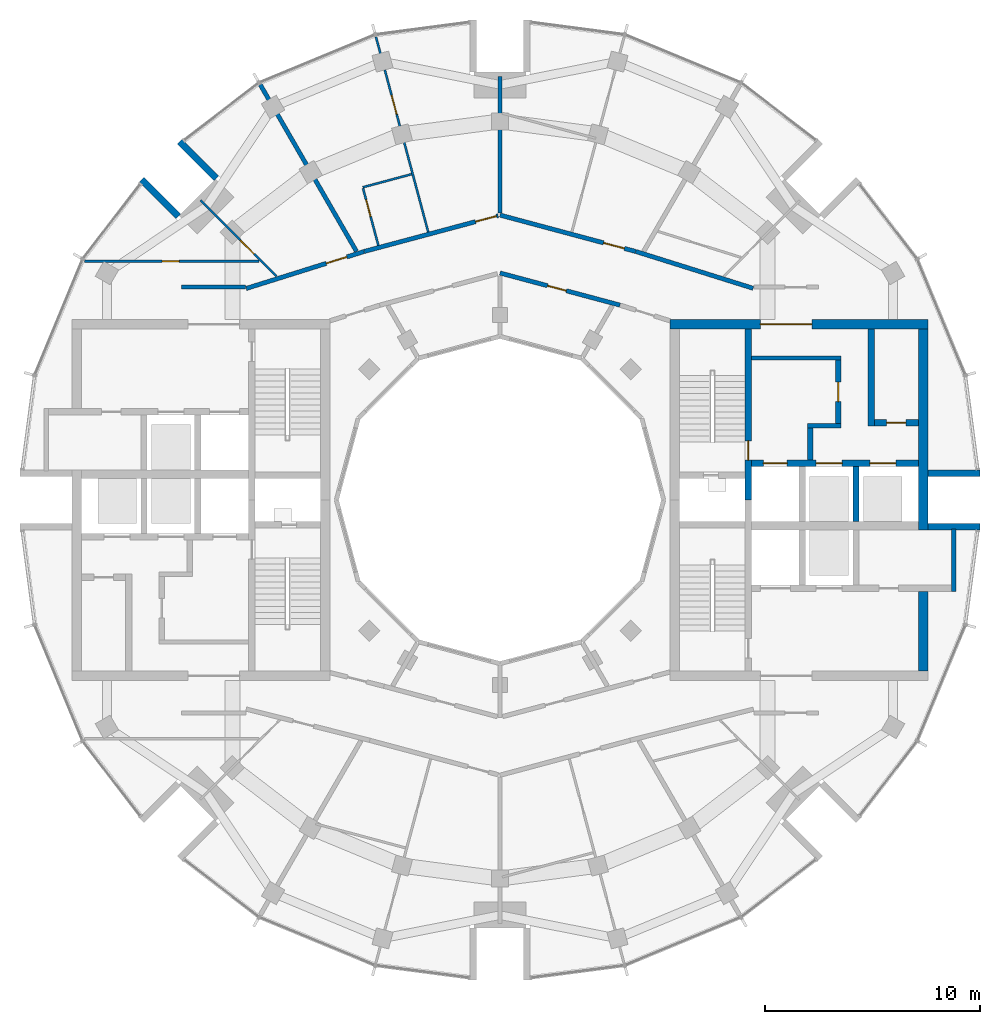
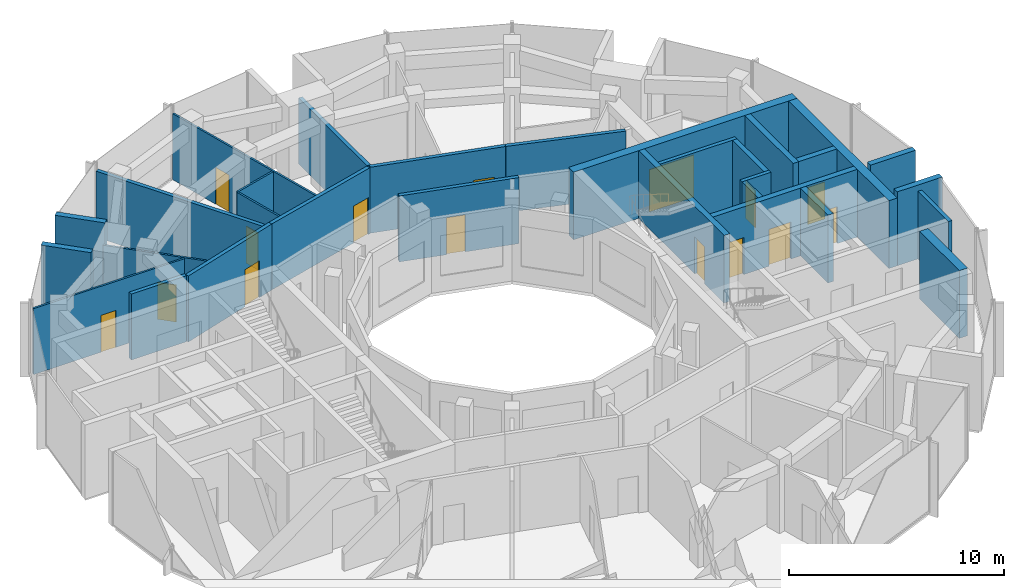
# One storey, part 11 of 14: 30 walls, 15 doors, 15 openings.
"""IFC4 building model written with IfcOpenShell, lengths in metres."""

from ifc_helpers import new_model, si_unit, direction, frame, frame_2d, origin, place, context, subcontext, project, spatial, rectangle, extrude, material, layer, layer_set, type_object, element, fill, save


model = new_model("IFC4")

# Units and contexts
model_context = context("Model", 3, precision=1e-05, world=origin(), true_north=direction((0.0, 1.0)))
body_context = subcontext(model_context, "Body", "Model", "MODEL_VIEW")
ifc_project = project(units=[si_unit("LENGTHUNIT", "METRE"), si_unit("AREAUNIT", "SQUARE_METRE"), si_unit("VOLUMEUNIT", "CUBIC_METRE"), si_unit("PLANEANGLEUNIT", "RADIAN"), si_unit("MASSUNIT", "GRAM", prefix="KILO")], contexts=[model_context])

# Site, building, storey
site_placement = place(None, origin())
site = spatial("IfcSite", under=ifc_project, at=site_placement, CompositionType="ELEMENT")
building_placement = place(site_placement, origin())
building = spatial("IfcBuilding", under=site, at=building_placement, Name="Torre Brocal", CompositionType="ELEMENT")
storey_placement = place(building_placement, frame((0.0, 0.0, 305.10009765625)))
storey = spatial("IfcBuildingStorey", under=building, at=storey_placement, Name="L70", CompositionType="ELEMENT", Elevation=305.10009765625)

# Walls
ifc_material_1 = material(Name="Masonry block", Category="masonry")
ifc_layer_1 = layer(ifc_material_1, 0.199951171875)
ifc_layer_set_1 = layer_set([ifc_layer_1], Name="Masonry block")
wall_type_1 = type_object("IfcWallType", Name="CORE PARTITION 200 UNDER 350 SLAB", PredefinedType="PARTITIONING", material=ifc_layer_set_1)
wall_1_placement = place(storey_placement, frame((101.10009765625, 70.75, 0.0), z_axis=(0.0, 0.0, 1.0), x_axis=(0.0, 1.0, 0.0)))
element("IfcWall", 1, at=wall_1_placement, inside=storey, type_object=wall_type_1, Name="Wall CP200-S350", PredefinedType="PARTITIONING", context=body_context, shape_type="SweptSolid", body=[
    extrude(rectangle(XDim=2.89990234375, YDim=0.199951171875, at=frame_2d((1.449951171875, 0.0))), origin(), (0.0, 0.0, 1.0), 3.849853515625),
])
ifc_material_2 = material(Name="Concrete C50", Category="concrete")
ifc_layer_2 = layer(ifc_material_2, 0.199951171875)
ifc_layer_set_2 = layer_set([ifc_layer_2], Name="Concrete C50")
wall_type_2 = type_object("IfcWallType", Name="CORE WALL 200 C50 UNDER 350 SLAB", PredefinedType="SHEAR", material=ifc_layer_set_2)
wall_2_placement = place(storey_placement, frame((91.699951171875, 81.60009765625, 0.0), z_axis=(0.0, 0.0, 1.0), x_axis=(1.0, 0.0, 0.0)))
element("IfcWall", 2, at=wall_2_placement, inside=storey, type_object=wall_type_2, Name="Wall CW200-50-S350", PredefinedType="SHEAR", context=body_context, shape_type="SweptSolid", body=[
    extrude(rectangle(XDim=4.150146484375, YDim=0.199951171875, at=frame_2d((2.0751953125, 0.0))), origin(), (0.0, 0.0, 1.0), 3.849853515625),
])
wall_3_placement = place(storey_placement, frame((94.300048828125, 78.449951171875, 0.0), z_axis=(0.0, 0.0, 1.0), x_axis=(1.0, 0.0, 0.0)))
element("IfcWall", 3, at=wall_3_placement, inside=storey, type_object=wall_type_2, Name="Wall CW200-50-S350", PredefinedType="SHEAR", context=body_context, shape_type="SweptSolid", body=[
    extrude(rectangle(XDim=1.550048828125, YDim=0.199951171875, at=frame_2d((0.77490234375, 0.0))), origin(), (0.0, 0.0, 1.0), 3.849853515625),
])

# Wall, opening, door
ifc_material_3 = material(Name="Concrete C50", Category="concrete")
ifc_layer_3 = layer(ifc_material_3, 0.25)
ifc_layer_set_3 = layer_set([ifc_layer_3], Name="Concrete C50")
wall_type_3 = type_object("IfcWallType", Name="CORE WALL 250 C50 UNDER 350 SLAB", PredefinedType="SHEAR", material=ifc_layer_set_3)
wall_4_placement = place(storey_placement, frame((95.72509765625, 78.550048828125, 0.0), z_axis=(0.0, 0.0, 1.0), x_axis=(0.0, 1.0, 0.0)))
wall_4 = element("IfcWall", 4, at=wall_4_placement, inside=storey, type_object=wall_type_3, Name="Wall CW250-50-S350", PredefinedType="SHEAR", context=body_context, shape_type="SweptSolid", body=[
    extrude(rectangle(XDim=2.949951171875, YDim=0.25, at=frame_2d((1.47509765625, 0.0))), origin(), (0.0, 0.0, 1.0), 3.849853515625),
])
opening_1_placement = place(wall_4_placement, frame((1.02490234375, 0.0, 0.0)))
opening_1 = element("IfcOpeningElement", 5, at=opening_1_placement, cuts=wall_4, Name="Opening E-D19", PredefinedType="OPENING", context=body_context, shape_type="SweptSolid", body=[
    extrude(rectangle(XDim=0.89990234375, YDim=2.10009765625, at=frame_2d((0.449951171875, 1.050048828125))), frame((0.0, 0.135009765625, 0.0), z_axis=(0.0, -1.0, 0.0), x_axis=(1.0, 0.0, 0.0)), (0.0, 0.0, 1.0), 0.27001953125),
])
ifc_material_4 = material(Name="Steel A653", Category="steel")
door_type_1 = type_object("IfcDoorType", Name="LOBBY DOOR FD120 900X2100", OperationType="SINGLE_SWING_RIGHT", PredefinedType="DOOR", material=ifc_material_4)
door_1_placement = place(opening_1_placement, origin())
door_1 = element("IfcDoor", 6, at=door_1_placement, inside=storey, type_object=door_type_1, Name="Door E-D19", OperationType="SINGLE_SWING_LEFT", OverallHeight=2.10009765625, OverallWidth=0.89990234375, PredefinedType="DOOR", context=body_context, shape_type="SweptSolid", body=[
    extrude(rectangle(XDim=0.89990234375, YDim=2.10009765625, at=frame_2d((0.449951171875, 1.050048828125))), frame((0.0, 0.02490234375, 0.0), z_axis=(0.0, -1.0, 0.0), x_axis=(1.0, 0.0, 0.0)), (0.0, 0.0, 1.0), 0.050048828125),
])
fill(opening_1, door_1)

# Wall
wall_5_placement = place(storey_placement, frame((94.425048828125, 76.85009765625, 0.0), z_axis=(0.0, 0.0, 1.0), x_axis=(0.0, 1.0, 0.0)))
element("IfcWall", 7, at=wall_5_placement, inside=storey, type_object=wall_type_3, Name="Wall CW250-50-S350", PredefinedType="SHEAR", context=body_context, shape_type="SweptSolid", body=[
    extrude(rectangle(XDim=1.5, YDim=0.25, at=frame_2d((0.75, 0.0))), origin(), (0.0, 0.0, 1.0), 3.849853515625),
])

# Wall, opening, door
ifc_material_5 = material(Name="Concrete C50", Category="concrete")
ifc_layer_4 = layer(ifc_material_5, 0.300048828125)
ifc_layer_set_4 = layer_set([ifc_layer_4], Name="Concrete C50")
wall_type_4 = type_object("IfcWallType", Name="CORE WALL 300 C50 UNDER 350 SLAB", PredefinedType="SHEAR", material=ifc_layer_set_4)
wall_6_placement = place(storey_placement, frame((91.550048828125, 75.0, 0.0), z_axis=(0.0, 0.0, 1.0), x_axis=(0.0, 1.0, 0.0)))
wall_6 = element("IfcWall", 8, at=wall_6_placement, inside=storey, type_object=wall_type_4, Name="Wall CW300-50-S350", PredefinedType="SHEAR", context=body_context, shape_type="SweptSolid", body=[
    extrude(rectangle(XDim=7.949951171875, YDim=0.300048828125, at=frame_2d((3.97509765625, 0.0))), origin(), (0.0, 0.0, 1.0), 3.849853515625),
])
opening_2_placement = place(wall_6_placement, frame((1.85009765625, 0.0, 0.0)))
opening_2 = element("IfcOpeningElement", 9, at=opening_2_placement, cuts=wall_6, Name="Opening E-D02", PredefinedType="OPENING", context=body_context, shape_type="SweptSolid", body=[
    extrude(rectangle(XDim=0.89990234375, YDim=2.10009765625, at=frame_2d((0.449951171875, 1.050048828125))), frame((0.0, 0.159912109375, 0.0), z_axis=(0.0, -1.0, 0.0), x_axis=(1.0, 0.0, 0.0)), (0.0, 0.0, 1.0), 0.320068359375),
])
ifc_material_6 = material(Name="Steel A653", Category="steel")
door_type_2 = type_object("IfcDoorType", Name="STAIR DOOR FD120 900X2100", OperationType="SINGLE_SWING_RIGHT", PredefinedType="DOOR", material=ifc_material_6)
door_2_placement = place(opening_2_placement, origin())
door_2 = element("IfcDoor", 10, at=door_2_placement, inside=storey, type_object=door_type_2, Name="Door E-D02", OperationType="SINGLE_SWING_LEFT", OverallHeight=2.10009765625, OverallWidth=0.89990234375, PredefinedType="DOOR", context=body_context, shape_type="SweptSolid", body=[
    extrude(rectangle(XDim=0.89990234375, YDim=2.10009765625, at=frame_2d((0.449951171875, 1.050048828125))), frame((0.0, 0.02490234375, 0.0), z_axis=(0.0, -1.0, 0.0), x_axis=(1.0, 0.0, 0.0)), (0.0, 0.0, 1.0), 0.050048828125),
])
fill(opening_2, door_2)

# Wall, openings, doors
wall_7_placement = place(storey_placement, frame((91.699951171875, 76.699951171875, 0.0), z_axis=(0.0, 0.0, 1.0), x_axis=(1.0, 0.0, 0.0)))
wall_7 = element("IfcWall", 11, at=wall_7_placement, inside=storey, type_object=wall_type_4, Name="Wall CW300-50-S350", PredefinedType="SHEAR", context=body_context, shape_type="SweptSolid", body=[
    extrude(rectangle(XDim=7.75, YDim=0.300048828125, at=frame_2d((3.875, 0.0))), origin(), (0.0, 0.0, 1.0), 3.849853515625),
])
opening_3_placement = place(wall_7_placement, frame((0.550048828125, 0.0, 0.0)))
opening_3 = element("IfcOpeningElement", 12, at=opening_3_placement, cuts=wall_7, Name="Opening LD", PredefinedType="OPENING", context=body_context, shape_type="SweptSolid", body=[
    extrude(rectangle(XDim=1.10009765625, YDim=2.10009765625, at=frame_2d((0.550048828125, 1.050048828125))), frame((0.0, 0.159912109375, 0.0), z_axis=(0.0, -1.0, 0.0), x_axis=(1.0, 0.0, 0.0)), (0.0, 0.0, 1.0), 0.320068359375),
])
opening_4_placement = place(wall_7_placement, frame((3.0, 0.0, 0.0)))
opening_4 = element("IfcOpeningElement", 13, at=opening_4_placement, cuts=wall_7, Name="Opening LD12", PredefinedType="OPENING", context=body_context, shape_type="SweptSolid", body=[
    extrude(rectangle(XDim=1.199951171875, YDim=2.10009765625, at=frame_2d((0.60009765625, 1.050048828125))), frame((0.0, 0.159912109375, 0.0), z_axis=(0.0, -1.0, 0.0), x_axis=(1.0, 0.0, 0.0)), (0.0, 0.0, 1.0), 0.320068359375),
])
opening_5_placement = place(wall_7_placement, frame((5.5, 0.0, 0.0)))
opening_5 = element("IfcOpeningElement", 14, at=opening_5_placement, cuts=wall_7, Name="Opening LD12", PredefinedType="OPENING", context=body_context, shape_type="SweptSolid", body=[
    extrude(rectangle(XDim=1.199951171875, YDim=2.10009765625, at=frame_2d((0.60009765625, 1.050048828125))), frame((0.0, 0.159912109375, 0.0), z_axis=(0.0, -1.0, 0.0), x_axis=(1.0, 0.0, 0.0)), (0.0, 0.0, 1.0), 0.320068359375),
])
ifc_material_7 = material(Name="Stainless steel AISI 316", Category="steel")
door_type_3 = type_object("IfcDoorType", Name="LIFT LANDING DOOR 1100X2100", OperationType="DOUBLE_DOOR_SLIDING", PredefinedType="DOOR", material=ifc_material_7)
door_3_placement = place(opening_3_placement, origin())
door_3 = element("IfcDoor", 15, at=door_3_placement, inside=storey, type_object=door_type_3, Name="Door LD", OperationType="DOUBLE_DOOR_SLIDING", OverallHeight=2.10009765625, OverallWidth=1.10009765625, PredefinedType="DOOR", context=body_context, shape_type="SweptSolid", body=[
    extrude(rectangle(XDim=1.10009765625, YDim=2.10009765625, at=frame_2d((0.550048828125, 1.050048828125))), frame((0.0, 0.02490234375, 0.0), z_axis=(0.0, -1.0, 0.0), x_axis=(1.0, 0.0, 0.0)), (0.0, 0.0, 1.0), 0.050048828125),
])
fill(opening_3, door_3)
ifc_material_8 = material(Name="Stainless steel AISI 316", Category="steel")
door_type_4 = type_object("IfcDoorType", Name="LIFT LANDING DOOR 1200X2100", OperationType="DOUBLE_DOOR_SLIDING", PredefinedType="DOOR", material=ifc_material_8)
door_4_placement = place(opening_4_placement, origin())
door_4 = element("IfcDoor", 16, at=door_4_placement, inside=storey, type_object=door_type_4, Name="Door LD12", OperationType="DOUBLE_DOOR_SLIDING", OverallHeight=2.10009765625, OverallWidth=1.199951171875, PredefinedType="DOOR", context=body_context, shape_type="SweptSolid", body=[
    extrude(rectangle(XDim=1.199951171875, YDim=2.10009765625, at=frame_2d((0.60009765625, 1.050048828125))), frame((0.0, 0.02490234375, 0.0), z_axis=(0.0, -1.0, 0.0), x_axis=(1.0, 0.0, 0.0)), (0.0, 0.0, 1.0), 0.050048828125),
])
fill(opening_4, door_4)
door_5_placement = place(opening_5_placement, origin())
door_5 = element("IfcDoor", 17, at=door_5_placement, inside=storey, type_object=door_type_4, Name="Door LD12", OperationType="DOUBLE_DOOR_SLIDING", OverallHeight=2.10009765625, OverallWidth=1.199951171875, PredefinedType="DOOR", context=body_context, shape_type="SweptSolid", body=[
    extrude(rectangle(XDim=1.199951171875, YDim=2.10009765625, at=frame_2d((0.60009765625, 1.050048828125))), frame((0.0, 0.02490234375, 0.0), z_axis=(0.0, -1.0, 0.0), x_axis=(1.0, 0.0, 0.0)), (0.0, 0.0, 1.0), 0.050048828125),
])
fill(opening_5, door_5)

# Walls
wall_8_placement = place(storey_placement, frame((96.550048828125, 74.0, 0.0), z_axis=(0.0, 0.0, 1.0), x_axis=(0.0, 1.0, 0.0)))
element("IfcWall", 18, at=wall_8_placement, inside=storey, type_object=wall_type_4, Name="Wall CW300-50-S350", PredefinedType="SHEAR", context=body_context, shape_type="SweptSolid", body=[
    extrude(rectangle(XDim=2.550048828125, YDim=0.300048828125, at=frame_2d((1.27490234375, 0.0))), origin(), (0.0, 0.0, 1.0), 3.849853515625),
])
wall_9_placement = place(storey_placement, frame((97.25, 78.449951171875, 0.0), z_axis=(0.0, 0.0, 1.0), x_axis=(0.0, 1.0, 0.0)))
element("IfcWall", 19, at=wall_9_placement, inside=storey, type_object=wall_type_4, Name="Wall CW300-50-S350", PredefinedType="SHEAR", context=body_context, shape_type="SweptSolid", body=[
    extrude(rectangle(XDim=4.5, YDim=0.300048828125, at=frame_2d((2.25, 0.0))), origin(), (0.0, 0.0, 1.0), 3.849853515625),
])

# Wall, opening, door
wall_10_placement = place(storey_placement, frame((97.39990234375, 78.60009765625, 0.0), z_axis=(0.0, 0.0, 1.0), x_axis=(1.0, 0.0, 0.0)))
wall_10 = element("IfcWall", 20, at=wall_10_placement, inside=storey, type_object=wall_type_4, Name="Wall CW300-50-S350", PredefinedType="SHEAR", context=body_context, shape_type="SweptSolid", body=[
    extrude(rectangle(XDim=2.050048828125, YDim=0.300048828125, at=frame_2d((1.02490234375, 0.0))), origin(), (0.0, 0.0, 1.0), 3.849853515625),
])
opening_6_placement = place(wall_10_placement, frame((0.574951171875, 0.0, 0.0)))
opening_6 = element("IfcOpeningElement", 21, at=opening_6_placement, cuts=wall_10, Name="Opening E-D06", PredefinedType="OPENING", context=body_context, shape_type="SweptSolid", body=[
    extrude(rectangle(XDim=0.89990234375, YDim=2.10009765625, at=frame_2d((0.449951171875, 1.050048828125))), frame((0.0, 0.159912109375, 0.0), z_axis=(0.0, -1.0, 0.0), x_axis=(1.0, 0.0, 0.0)), (0.0, 0.0, 1.0), 0.320068359375),
])
ifc_material_9 = material(Name="Steel A653", Category="steel")
door_type_5 = type_object("IfcDoorType", Name="ROOM DOOR FD30S 900X2100", OperationType="SINGLE_SWING_LEFT", PredefinedType="DOOR", material=ifc_material_9)
door_6_placement = place(opening_6_placement, origin())
door_6 = element("IfcDoor", 22, at=door_6_placement, inside=storey, type_object=door_type_5, Name="Door E-D06", OperationType="SINGLE_SWING_RIGHT", OverallHeight=2.10009765625, OverallWidth=0.89990234375, PredefinedType="DOOR", context=body_context, shape_type="SweptSolid", body=[
    extrude(rectangle(XDim=0.89990234375, YDim=2.10009765625, at=frame_2d((0.449951171875, 1.050048828125))), frame((0.0, 0.02490234375, 0.0), z_axis=(0.0, -1.0, 0.0), x_axis=(1.0, 0.0, 0.0)), (0.0, 0.0, 1.0), 0.050048828125),
])
fill(opening_6, door_6)

ifc_material_10 = material(Name="Concrete C50", Category="concrete")
ifc_layer_5 = layer(ifc_material_10, 0.449951171875)
ifc_layer_set_5 = layer_set([ifc_layer_5], Name="Concrete C50")
wall_type_5 = type_object("IfcWallType", Name="CORE WALL 450 C50 UNDER 350 SLAB", PredefinedType="SHEAR", material=ifc_layer_set_5)
wall_11_placement = place(storey_placement, frame((87.89990234375, 83.175048828125, 0.0), z_axis=(0.0, 0.0, 1.0), x_axis=(1.0, 0.0, 0.0)))
wall_11 = element("IfcWall", 23, at=wall_11_placement, inside=storey, type_object=wall_type_5, Name="Wall CW450-50-S350", PredefinedType="SHEAR", context=body_context, shape_type="SweptSolid", body=[
    extrude(rectangle(XDim=12.0, YDim=0.449951171875, at=frame_2d((6.0, 0.0))), origin(), (0.0, 0.0, 1.0), 3.849853515625),
])
opening_7_placement = place(wall_11_placement, frame((4.199951171875, 0.0, 0.0)))
opening_7 = element("IfcOpeningElement", 24, at=opening_7_placement, cuts=wall_11, Name="Opening E-D24", PredefinedType="OPENING", context=body_context, shape_type="SweptSolid", body=[
    extrude(rectangle(XDim=2.39990234375, YDim=2.39990234375, at=frame_2d((1.199951171875, 1.199951171875))), frame((0.0, 0.23486328125, 0.0), z_axis=(0.0, -1.0, 0.0), x_axis=(1.0, 0.0, 0.0)), (0.0, 0.0, 1.0), 0.469970703125),
])
ifc_material_11 = material(Name="Steel A653", Category="steel")
door_type_6 = type_object("IfcDoorType", Name="DOUBLE FIRE DOOR FD90 2400X2400", OperationType="DOUBLE_DOOR_SINGLE_SWING", PredefinedType="DOOR", material=ifc_material_11)
door_7_placement = place(opening_7_placement, frame((2.39990234375, 0.0, 0.0), z_axis=(0.0, 0.0, 1.0), x_axis=(-1.0, 0.0, 0.0)))
door_7 = element("IfcDoor", 25, at=door_7_placement, inside=storey, type_object=door_type_6, Name="Door E-D24", OperationType="DOUBLE_DOOR_SINGLE_SWING", OverallHeight=2.39990234375, OverallWidth=2.39990234375, PredefinedType="DOOR", context=body_context, shape_type="SweptSolid", body=[
    extrude(rectangle(XDim=2.39990234375, YDim=2.39990234375, at=frame_2d((1.199951171875, 1.199951171875))), frame((0.0, 0.02490234375, 0.0), z_axis=(0.0, -1.0, 0.0), x_axis=(1.0, 0.0, 0.0)), (0.0, 0.0, 1.0), 0.050048828125),
])
fill(opening_7, door_7)

# Walls
wall_12_placement = place(storey_placement, frame((99.675048828125, 73.60009765625, 0.0), z_axis=(0.0, 0.0, 1.0), x_axis=(0.0, 1.0, 0.0)))
element("IfcWall", 26, at=wall_12_placement, inside=storey, type_object=wall_type_5, Name="Wall CW450-50-S350", PredefinedType="SHEAR", context=body_context, shape_type="SweptSolid", body=[
    extrude(rectangle(XDim=9.349853515625, YDim=0.449951171875, at=frame_2d((4.6748046875, 0.0))), origin(), (0.0, 0.0, 1.0), 3.849853515625),
])
wall_13_placement = place(storey_placement, frame((99.675048828125, 67.050048828125, 0.0), z_axis=(0.0, 0.0, 1.0), x_axis=(0.0, 1.0, 0.0)))
element("IfcWall", 27, at=wall_13_placement, inside=storey, type_object=wall_type_5, Name="Wall CW450-50-S350", PredefinedType="SHEAR", context=body_context, shape_type="SweptSolid", body=[
    extrude(rectangle(XDim=3.699951171875, YDim=0.449951171875, at=frame_2d((1.85009765625, 0.0))), origin(), (0.0, 0.0, 1.0), 3.849853515625),
])
ifc_material_12 = material(Name="Concrete C50", Category="concrete")
ifc_layer_6 = layer(ifc_material_12, 0.300048828125)
ifc_layer_set_6 = layer_set([ifc_layer_6], Name="Concrete C50")
wall_type_6 = type_object("IfcWallType", Name="NOTCH RETURN WALL 300 C50", PredefinedType="NOTDEFINED", material=ifc_layer_set_6)
for number, where, z_axis, x_axis, name in (
    (28, (99.89990234375, 73.75, 0.0), (0.0, 0.0, 1.0), (1.0, 0.0, 0.0), "NOTCH RETURN WALL"),
    (29, (99.89990234375, 76.25, 0.0), (0.0, 0.0, 1.0), (1.0, 0.0, 0.0), "NOTCH RETURN WALL"),
    (30, (66.8125, 89.955322265625, 0.0), (0.0, 0.0, 1.0), (-0.707106781187, 0.707106781187, 0.0), "NOTCH RETURN WALL"),
    (31, (65.044677734375, 88.1875, 0.0), (0.0, 0.0, 1.0), (-0.707106781187, 0.707106781187, 0.0), "NOTCH RETURN WALL"),
):
    element("IfcWall", number, at=place(storey_placement, frame(where, z_axis=z_axis, x_axis=x_axis)), inside=storey, type_object=wall_type_6, Name=name, PredefinedType="NOTDEFINED", context=body_context, shape_type="SweptSolid", body=[
        extrude(rectangle(XDim=2.415771484375, YDim=0.300048828125, at=frame_2d((1.2080078125, 0.0))), origin(), (0.0, 0.0, 1.0), 4.199951171875),
    ])

# Wall, opening, door
ifc_material_13 = material(Name="Gypsum board", Category="Gypsum")
ifc_layer_7 = layer(ifc_material_13, 0.10009765625)
ifc_layer_set_7 = layer_set([ifc_layer_7], Name="Gypsum board")
wall_type_7 = type_object("IfcWallType", Name="PARTITION 100", PredefinedType="PARTITIONING", material=ifc_layer_set_7)
wall_14_placement = place(storey_placement, frame((60.673095703125, 86.10009765625, 0.0), z_axis=(0.0, 0.0, 1.0), x_axis=(1.0, 0.0, 0.0)))
wall_14 = element("IfcWall", 32, at=wall_14_placement, inside=storey, type_object=wall_type_7, Name="BATHROOM WALL", PredefinedType="PARTITIONING", context=body_context, shape_type="SweptSolid", body=[
    extrude(rectangle(XDim=8.116943359375, YDim=0.10009765625, at=frame_2d((4.05859375, 0.0))), origin(), (0.0, 0.0, 1.0), 3.75),
])
opening_8_placement = place(wall_14_placement, frame((3.614501953125, 0.0, 0.0)))
opening_8 = element("IfcOpeningElement", 33, at=opening_8_placement, cuts=wall_14, Name="Opening N04-D12", PredefinedType="OPENING", context=body_context, shape_type="SweptSolid", body=[
    extrude(rectangle(XDim=0.800048828125, YDim=2.10009765625, at=frame_2d((0.39990234375, 1.050048828125))), frame((0.0, 0.06005859375, 0.0), z_axis=(0.0, -1.0, 0.0), x_axis=(1.0, 0.0, 0.0)), (0.0, 0.0, 1.0), 0.1201171875),
])
ifc_material_14 = material(Name="Timber", Category="wood")
door_type_7 = type_object("IfcDoorType", Name="BATHROOM DOOR 800X2100", OperationType="SINGLE_SWING_LEFT", PredefinedType="DOOR", material=ifc_material_14)
door_8_placement = place(opening_8_placement, frame((0.800048828125, 0.0, 0.0), z_axis=(0.0, 0.0, 1.0), x_axis=(-1.0, 0.0, 0.0)))
door_8 = element("IfcDoor", 34, at=door_8_placement, inside=storey, type_object=door_type_7, Name="N04-D12", OperationType="SINGLE_SWING_RIGHT", OverallHeight=2.10009765625, OverallWidth=0.800048828125, PredefinedType="DOOR", context=body_context, shape_type="SweptSolid", body=[
    extrude(rectangle(XDim=0.800048828125, YDim=2.10009765625, at=frame_2d((0.39990234375, 1.050048828125))), frame((0.0, 0.02490234375, 0.0), z_axis=(0.0, -1.0, 0.0), x_axis=(1.0, 0.0, 0.0)), (0.0, 0.0, 1.0), 0.050048828125),
])
fill(opening_8, door_8)

wall_15_placement = place(storey_placement, frame((66.072509765625, 88.93212890625, 0.0), z_axis=(0.0, 0.0, 1.0), x_axis=(0.70696025587, -0.707253276147, 0.0)))
wall_15 = element("IfcWall", 35, at=wall_15_placement, inside=storey, type_object=wall_type_7, Name="BATHROOM WALL", PredefinedType="PARTITIONING", context=body_context, shape_type="SweptSolid", body=[
    extrude(rectangle(XDim=4.9990234375, YDim=0.10009765625, at=frame_2d((2.49951171875, 0.0))), origin(), (0.0, 0.0, 1.0), 3.75),
])
opening_9_placement = place(wall_15_placement, frame((2.625732421875, 0.0, 0.0)))
opening_9 = element("IfcOpeningElement", 36, at=opening_9_placement, cuts=wall_15, Name="Opening N04-D11", PredefinedType="OPENING", context=body_context, shape_type="SweptSolid", body=[
    extrude(rectangle(XDim=0.89990234375, YDim=2.10009765625, at=frame_2d((0.449951171875, 1.050048828125))), frame((0.0, 0.06005859375, 0.0), z_axis=(0.0, -1.0, 0.0), x_axis=(1.0, 0.0, 0.0)), (0.0, 0.0, 1.0), 0.1201171875),
])
ifc_material_15 = material(Name="Timber", Category="wood")
door_type_8 = type_object("IfcDoorType", Name="ROOM DOOR 900X2100", OperationType="SINGLE_SWING_LEFT", PredefinedType="DOOR", material=ifc_material_15)
door_9_placement = place(opening_9_placement, frame((0.89990234375, 0.0, 0.0), z_axis=(0.0, 0.0, 1.0), x_axis=(-1.0, 0.0, 0.0)))
door_9 = element("IfcDoor", 37, at=door_9_placement, inside=storey, type_object=door_type_8, Name="N04-D11", OperationType="SINGLE_SWING_RIGHT", OverallHeight=2.10009765625, OverallWidth=0.89990234375, PredefinedType="DOOR", context=body_context, shape_type="SweptSolid", body=[
    extrude(rectangle(XDim=0.89990234375, YDim=2.10009765625, at=frame_2d((0.449951171875, 1.050048828125))), frame((0.0, 0.02490234375, 0.0), z_axis=(0.0, -1.0, 0.0), x_axis=(1.0, 0.0, 0.0)), (0.0, 0.0, 1.0), 0.050048828125),
])
fill(opening_9, door_9)

wall_16_placement = place(storey_placement, frame((73.6328125, 89.48974609375, 0.0), z_axis=(0.0, 0.0, 1.0), x_axis=(0.259005329799, -0.965875892201, 0.0)))
wall_16 = element("IfcWall", 38, at=wall_16_placement, inside=storey, type_object=wall_type_7, Name="BATHROOM WALL", PredefinedType="PARTITIONING", context=body_context, shape_type="SweptSolid", body=[
    extrude(rectangle(XDim=2.74951171875, YDim=0.10009765625, at=frame_2d((1.374755859375, 0.0))), origin(), (0.0, 0.0, 1.0), 3.75),
])
opening_10_placement = place(wall_16_placement, frame((0.550048828125, 0.0, 0.0)))
opening_10 = element("IfcOpeningElement", 39, at=opening_10_placement, cuts=wall_16, Name="Opening N04-D09", PredefinedType="OPENING", context=body_context, shape_type="SweptSolid", body=[
    extrude(rectangle(XDim=0.800048828125, YDim=2.10009765625, at=frame_2d((0.39990234375, 1.050048828125))), frame((0.0, 0.06005859375, 0.0), z_axis=(0.0, -1.0, 0.0), x_axis=(1.0, 0.0, 0.0)), (0.0, 0.0, 1.0), 0.1201171875),
])
door_10_placement = place(opening_10_placement, origin())
door_10 = element("IfcDoor", 40, at=door_10_placement, inside=storey, type_object=door_type_7, Name="N04-D09", OperationType="SINGLE_SWING_LEFT", OverallHeight=2.10009765625, OverallWidth=0.800048828125, PredefinedType="DOOR", context=body_context, shape_type="SweptSolid", body=[
    extrude(rectangle(XDim=0.800048828125, YDim=2.10009765625, at=frame_2d((0.39990234375, 1.050048828125))), frame((0.0, 0.02490234375, 0.0), z_axis=(0.0, -1.0, 0.0), x_axis=(1.0, 0.0, 0.0)), (0.0, 0.0, 1.0), 0.050048828125),
])
fill(opening_10, door_10)

# Wall
wall_17_placement = place(storey_placement, frame((73.6201171875, 89.5380859375, 0.0), z_axis=(0.0, 0.0, 1.0), x_axis=(0.965948051503, 0.258736085224, 0.0)))
element("IfcWall", 41, at=wall_17_placement, inside=storey, type_object=wall_type_7, Name="BATHROOM WALL", PredefinedType="PARTITIONING", context=body_context, shape_type="SweptSolid", body=[
    extrude(rectangle(XDim=2.349609375, YDim=0.10009765625, at=frame_2d((1.1748046875, 0.0))), origin(), (0.0, 0.0, 1.0), 3.75),
])

# Wall, opening, door
wall_18_placement = place(storey_placement, frame((74.231201171875, 96.538818359375, 0.0), z_axis=(0.0, 0.0, 1.0), x_axis=(0.258666006211, -0.965966819943, 0.0)))
wall_18 = element("IfcWall", 42, at=wall_18_placement, inside=storey, type_object=wall_type_7, Name="BATHROOM WALL", PredefinedType="PARTITIONING", context=body_context, shape_type="SweptSolid", body=[
    extrude(rectangle(XDim=9.403564453125, YDim=0.10009765625, at=frame_2d((4.70166015625, 0.0))), origin(), (0.0, 0.0, 1.0), 3.75),
])
opening_11_placement = place(wall_18_placement, frame((2.826904296875, 0.0, 0.0)))
opening_11 = element("IfcOpeningElement", 43, at=opening_11_placement, cuts=wall_18, Name="Opening N04-D08", PredefinedType="OPENING", context=body_context, shape_type="SweptSolid", body=[
    extrude(rectangle(XDim=0.89990234375, YDim=2.10009765625, at=frame_2d((0.449951171875, 1.050048828125))), frame((0.0, 0.06005859375, 0.0), z_axis=(0.0, -1.0, 0.0), x_axis=(1.0, 0.0, 0.0)), (0.0, 0.0, 1.0), 0.1201171875),
])
door_11_placement = place(opening_11_placement, origin())
door_11 = element("IfcDoor", 44, at=door_11_placement, inside=storey, type_object=door_type_8, Name="N04-D08", OperationType="SINGLE_SWING_LEFT", OverallHeight=2.10009765625, OverallWidth=0.89990234375, PredefinedType="DOOR", context=body_context, shape_type="SweptSolid", body=[
    extrude(rectangle(XDim=0.89990234375, YDim=2.10009765625, at=frame_2d((0.449951171875, 1.050048828125))), frame((0.0, 0.02490234375, 0.0), z_axis=(0.0, -1.0, 0.0), x_axis=(1.0, 0.0, 0.0)), (0.0, 0.0, 1.0), 0.050048828125),
])
fill(opening_11, door_11)

# Wall
ifc_material_16 = material(Name="Gypsum board", Category="Gypsum")
ifc_layer_8 = layer(ifc_material_16, 0.199951171875)
ifc_layer_set_8 = layer_set([ifc_layer_8], Name="Gypsum board")
wall_type_8 = type_object("IfcWallType", Name="PARTITION 200 EI60", PredefinedType="PARTITIONING", material=ifc_layer_set_8)
wall_19_placement = place(storey_placement, frame((65.199951171875, 84.89990234375, 0.0), z_axis=(0.0, 0.0, 1.0), x_axis=(1.0, 0.0, 0.0)))
element("IfcWall", 45, at=wall_19_placement, inside=storey, type_object=wall_type_8, Name="CORRIDOR WALL", PredefinedType="PARTITIONING", context=body_context, shape_type="SweptSolid", body=[
    extrude(rectangle(XDim=2.969970703125, YDim=0.199951171875, at=frame_2d((1.48486328125, 0.0))), origin(), (0.0, 0.0, 1.0), 3.75),
])

# Wall, opening, door
wall_20_placement = place(storey_placement, frame((68.199951171875, 84.833251953125, 0.0), z_axis=(0.0, 0.0, 1.0), x_axis=(0.954191968402, 0.299195065863, 0.0)))
wall_20 = element("IfcWall", 46, at=wall_20_placement, inside=storey, type_object=wall_type_8, Name="FLAT ENTRANCE WALL", PredefinedType="PARTITIONING", context=body_context, shape_type="SweptSolid", body=[
    extrude(rectangle(XDim=5.740478515625, YDim=0.199951171875, at=frame_2d((2.8701171875, 0.0))), origin(), (0.0, 0.0, 1.0), 3.75),
])
opening_12_placement = place(wall_20_placement, frame((3.90283203125, 0.0, 0.0)))
opening_12 = element("IfcOpeningElement", 47, at=opening_12_placement, cuts=wall_20, Name="Opening N04-D10", PredefinedType="OPENING", context=body_context, shape_type="SweptSolid", body=[
    extrude(rectangle(XDim=1.0, YDim=2.10009765625, at=frame_2d((0.5, 1.050048828125))), frame((0.0, 0.10986328125, 0.0), z_axis=(0.0, -1.0, 0.0), x_axis=(1.0, 0.0, 0.0)), (0.0, 0.0, 1.0), 0.219970703125),
])
ifc_material_17 = material(Name="Timber", Category="wood")
door_type_9 = type_object("IfcDoorType", Name="FLAT ENTRY DOOR FD30S 1000X2100", OperationType="SINGLE_SWING_RIGHT", PredefinedType="DOOR", material=ifc_material_17)
door_12_placement = place(opening_12_placement, origin())
door_12 = element("IfcDoor", 48, at=door_12_placement, inside=storey, type_object=door_type_9, Name="N04-D10", OperationType="SINGLE_SWING_RIGHT", OverallHeight=2.10009765625, OverallWidth=1.0, PredefinedType="DOOR", context=body_context, shape_type="SweptSolid", body=[
    extrude(rectangle(XDim=1.0, YDim=2.10009765625, at=frame_2d((0.5, 1.050048828125))), frame((0.0, 0.02490234375, 0.0), z_axis=(0.0, -1.0, 0.0), x_axis=(1.0, 0.0, 0.0)), (0.0, 0.0, 1.0), 0.050048828125),
])
fill(opening_12, door_12)

# Wall
wall_21_placement = place(storey_placement, frame((68.853515625, 94.311767578125, 0.0), z_axis=(0.0, 0.0, 1.0), x_axis=(0.499901994742, -0.866081979753, 0.0)))
element("IfcWall", 49, at=wall_21_placement, inside=storey, type_object=wall_type_8, Name="PARTY PARTITION", PredefinedType="PARTITIONING", context=body_context, shape_type="SweptSolid", body=[
    extrude(rectangle(XDim=8.946044921875, YDim=0.199951171875, at=frame_2d((4.47314453125, 0.0))), origin(), (0.0, 0.0, 1.0), 3.75),
])

# Wall, opening, door
wall_22_placement = place(storey_placement, frame((73.686767578125, 86.5546875, 0.0), z_axis=(0.0, 0.0, 1.0), x_axis=(0.966020868517, 0.258464081818, 0.0)))
wall_22 = element("IfcWall", 50, at=wall_22_placement, inside=storey, type_object=wall_type_8, Name="FLAT ENTRANCE WALL", PredefinedType="PARTITIONING", context=body_context, shape_type="SweptSolid", body=[
    extrude(rectangle(XDim=6.44580078125, YDim=0.199951171875, at=frame_2d((3.222900390625, 0.0))), origin(), (0.0, 0.0, 1.0), 3.75),
])
opening_13_placement = place(wall_22_placement, frame((5.36181640625, 0.0, 0.0)))
opening_13 = element("IfcOpeningElement", 51, at=opening_13_placement, cuts=wall_22, Name="Opening N04-D07", PredefinedType="OPENING", context=body_context, shape_type="SweptSolid", body=[
    extrude(rectangle(XDim=1.0, YDim=2.10009765625, at=frame_2d((0.5, 1.050048828125))), frame((0.0, 0.10986328125, 0.0), z_axis=(0.0, -1.0, 0.0), x_axis=(1.0, 0.0, 0.0)), (0.0, 0.0, 1.0), 0.219970703125),
])
door_13_placement = place(opening_13_placement, origin())
door_13 = element("IfcDoor", 52, at=door_13_placement, inside=storey, type_object=door_type_9, Name="N04-D07", OperationType="SINGLE_SWING_RIGHT", OverallHeight=2.10009765625, OverallWidth=1.0, PredefinedType="DOOR", context=body_context, shape_type="SweptSolid", body=[
    extrude(rectangle(XDim=1.0, YDim=2.10009765625, at=frame_2d((0.5, 1.050048828125))), frame((0.0, 0.02490234375, 0.0), z_axis=(0.0, -1.0, 0.0), x_axis=(1.0, 0.0, 0.0)), (0.0, 0.0, 1.0), 0.050048828125),
])
fill(opening_13, door_13)

wall_23_placement = place(storey_placement, frame((80.0, 85.553955078125, 0.0), z_axis=(0.0, 0.0, 1.0), x_axis=(0.965928989968, -0.258807237802, 0.0)))
wall_23 = element("IfcWall", 53, at=wall_23_placement, inside=storey, type_object=wall_type_8, Name="CORRIDOR WALL", PredefinedType="PARTITIONING", context=body_context, shape_type="SweptSolid", body=[
    extrude(rectangle(XDim=5.774169921875, YDim=0.199951171875, at=frame_2d((2.88720703125, 0.0))), origin(), (0.0, 0.0, 1.0), 3.75),
])
opening_14_placement = place(wall_23_placement, frame((2.29150390625, 0.0, 0.0)))
opening_14 = element("IfcOpeningElement", 54, at=opening_14_placement, cuts=wall_23, Name="Opening N04-D14", PredefinedType="OPENING", context=body_context, shape_type="SweptSolid", body=[
    extrude(rectangle(XDim=0.89990234375, YDim=2.10009765625, at=frame_2d((0.449951171875, 1.050048828125))), frame((0.0, 0.10986328125, 0.0), z_axis=(0.0, -1.0, 0.0), x_axis=(1.0, 0.0, 0.0)), (0.0, 0.0, 1.0), 0.219970703125),
])
door_14_placement = place(opening_14_placement, frame((0.89990234375, 0.0, 0.0), z_axis=(0.0, 0.0, 1.0), x_axis=(-1.0, 0.0, 0.0)))
door_14 = element("IfcDoor", 55, at=door_14_placement, inside=storey, type_object=door_type_8, Name="N04-D14", OperationType="SINGLE_SWING_LEFT", OverallHeight=2.10009765625, OverallWidth=0.89990234375, PredefinedType="DOOR", context=body_context, shape_type="SweptSolid", body=[
    extrude(rectangle(XDim=0.89990234375, YDim=2.10009765625, at=frame_2d((0.449951171875, 1.050048828125))), frame((0.0, 0.02490234375, 0.0), z_axis=(0.0, -1.0, 0.0), x_axis=(1.0, 0.0, 0.0)), (0.0, 0.0, 1.0), 0.050048828125),
])
fill(opening_14, door_14)

# Wall
wall_24_placement = place(storey_placement, frame((80.0, 88.3359375, 0.0), z_axis=(0.0, 0.0, 1.0), x_axis=(0.0, 1.0, 0.0)))
element("IfcWall", 56, at=wall_24_placement, inside=storey, type_object=wall_type_8, Name="BATHROOM WALL", PredefinedType="PARTITIONING", context=body_context, shape_type="SweptSolid", body=[
    extrude(rectangle(XDim=6.364013671875, YDim=0.199951171875, at=frame_2d((3.18212890625, 0.0))), origin(), (0.0, 0.0, 1.0), 3.75),
])

# Wall, opening, door
wall_25_placement = place(storey_placement, frame((80.0, 88.24609375, 0.0), z_axis=(0.0, 0.0, 1.0), x_axis=(0.965866355913, -0.25904088966, 0.0)))
wall_25 = element("IfcWall", 57, at=wall_25_placement, inside=storey, type_object=wall_type_8, Name="FLAT ENTRANCE WALL", PredefinedType="PARTITIONING", context=body_context, shape_type="SweptSolid", body=[
    extrude(rectangle(XDim=6.525634765625, YDim=0.199951171875, at=frame_2d((3.2626953125, 0.0))), origin(), (0.0, 0.0, 1.0), 3.75),
])
opening_15_placement = place(wall_25_placement, frame((4.98583984375, 0.0, 0.0)))
opening_15 = element("IfcOpeningElement", 58, at=opening_15_placement, cuts=wall_25, Name="Opening N04-D04", PredefinedType="OPENING", context=body_context, shape_type="SweptSolid", body=[
    extrude(rectangle(XDim=1.0, YDim=2.10009765625, at=frame_2d((0.5, 1.050048828125))), frame((0.0, 0.10986328125, 0.0), z_axis=(0.0, -1.0, 0.0), x_axis=(1.0, 0.0, 0.0)), (0.0, 0.0, 1.0), 0.219970703125),
])
door_15_placement = place(opening_15_placement, origin())
door_15 = element("IfcDoor", 59, at=door_15_placement, inside=storey, type_object=door_type_9, Name="N04-D04", OperationType="SINGLE_SWING_RIGHT", OverallHeight=2.10009765625, OverallWidth=1.0, PredefinedType="DOOR", context=body_context, shape_type="SweptSolid", body=[
    extrude(rectangle(XDim=1.0, YDim=2.10009765625, at=frame_2d((0.5, 1.050048828125))), frame((0.0, 0.02490234375, 0.0), z_axis=(0.0, -1.0, 0.0), x_axis=(1.0, 0.0, 0.0)), (0.0, 0.0, 1.0), 0.050048828125),
])
fill(opening_15, door_15)

# Wall
wall_26_placement = place(storey_placement, frame((86.31298828125, 86.554443359375, 0.0), z_axis=(0.0, 0.0, 1.0), x_axis=(0.954081217458, -0.299548043717, 0.0)))
element("IfcWall", 60, at=wall_26_placement, inside=storey, type_object=wall_type_8, Name="FLAT ENTRANCE WALL", PredefinedType="PARTITIONING", context=body_context, shape_type="SweptSolid", body=[
    extrude(rectangle(XDim=5.720703125, YDim=0.199951171875, at=frame_2d((2.8603515625, 0.0))), origin(), (0.0, 0.0, 1.0), 3.75),
])

save(model, "model.ifc")
